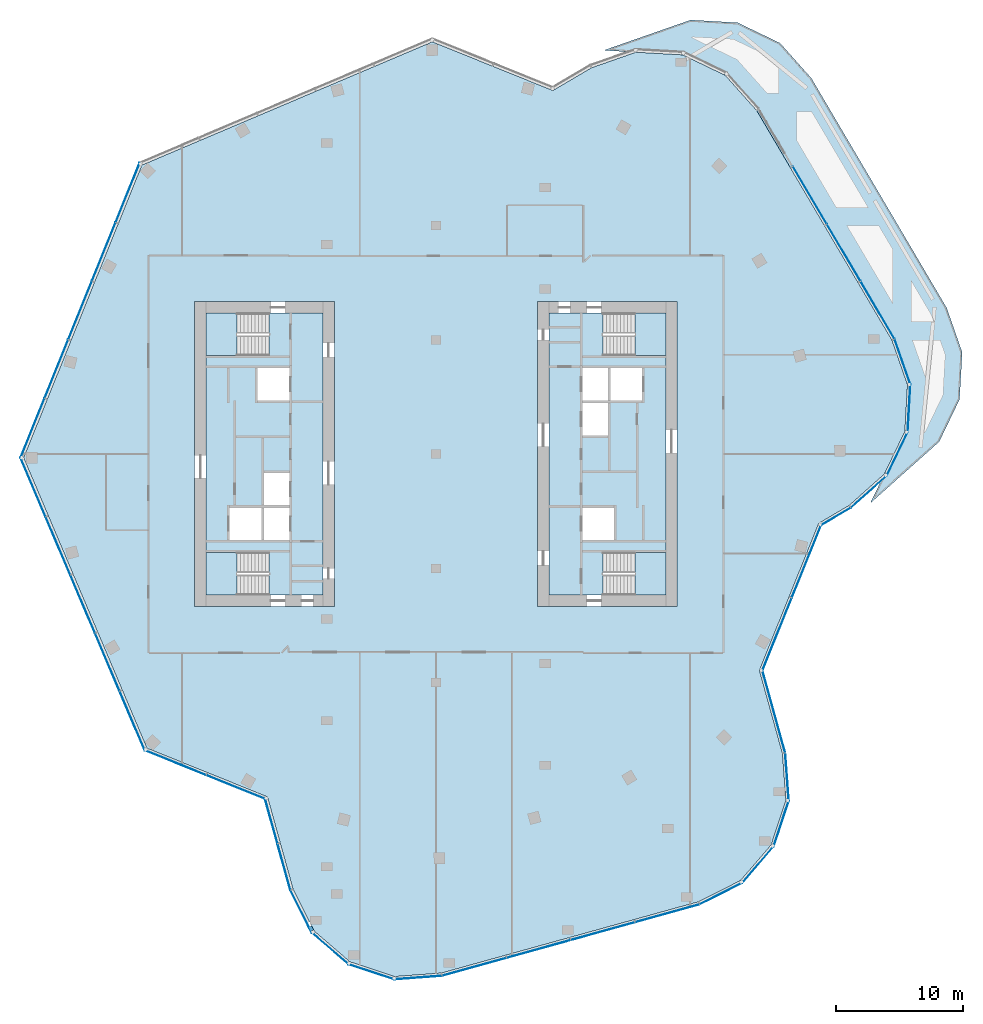
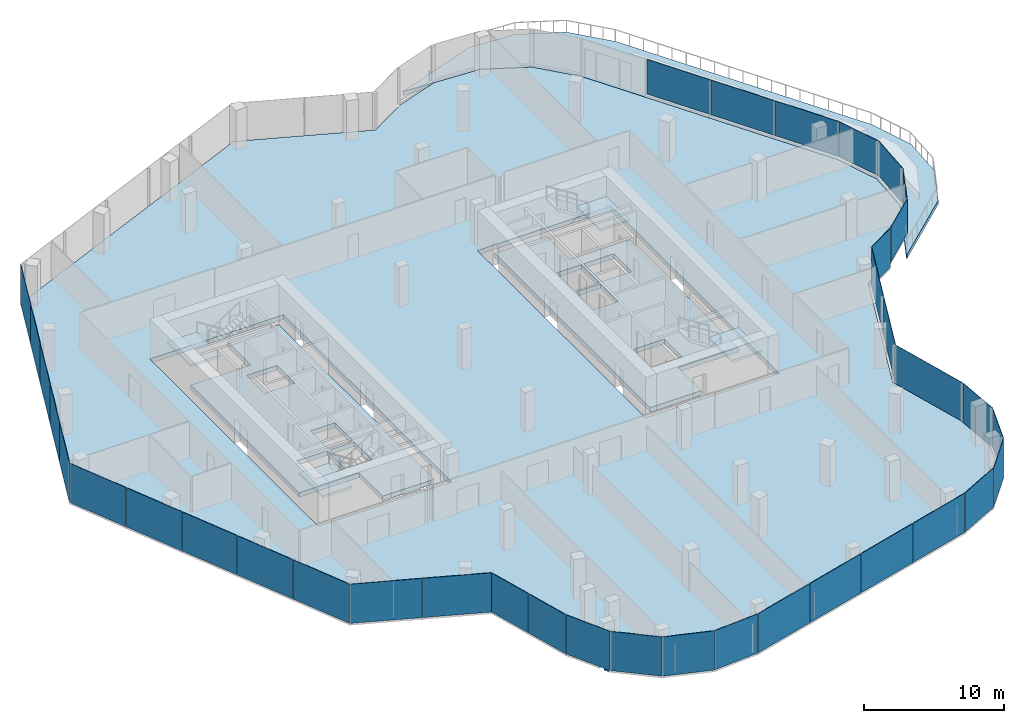
# One storey, part 10 of 17: 37 plates, 8 slabs, 1 member, 25 elements without a shape of their own.
"""IFC4 building model written with IfcOpenShell, lengths in metres."""

from ifc_helpers import new_model, si_unit, direction, frame, origin, origin_2d, place, context, subcontext, project, spatial, polyline, rectangle, outline, extrude, material, layer, layer_set, material_profile, profile_set, type_object, element, aggregate, save


model = new_model("IFC4")

# Units and contexts
model_context = context("Model", 3, precision=1e-05, world=origin(), true_north=direction((0.0, 1.0)))
body_context = subcontext(model_context, "Body", "Model", "MODEL_VIEW")
ifc_project = project(units=[si_unit("LENGTHUNIT", "METRE"), si_unit("AREAUNIT", "SQUARE_METRE"), si_unit("VOLUMEUNIT", "CUBIC_METRE"), si_unit("PLANEANGLEUNIT", "RADIAN"), si_unit("MASSUNIT", "GRAM", prefix="KILO")], contexts=[model_context])

# Site, building, storey
site_placement = place(None, origin())
site = spatial("IfcSite", under=ifc_project, at=site_placement, CompositionType="ELEMENT")
building_placement = place(site_placement, origin())
building = spatial("IfcBuilding", under=site, at=building_placement, Name="Orlundy Tower", CompositionType="ELEMENT")
storey_placement = place(building_placement, frame((0.0, 0.0, 289.39990234375)))
storey = spatial("IfcBuildingStorey", under=building, at=storey_placement, Name="L77", CompositionType="ELEMENT", Elevation=289.39990234375)

# Curtain wall, member
ifc_material_1 = material(Name="Aluminium bronze anodised", Category="aluminium")
curtain_wall_type = type_object("IfcCurtainWallType", Name="CW6 wall", PredefinedType="NOTDEFINED", material=ifc_material_1)
curtain_wall_1_placement = place(storey_placement, origin())
curtain_wall_1 = element("IfcCurtainWall", 1, at=curtain_wall_1_placement, inside=storey, type_object=curtain_wall_type, Name="CW6 run 027", PredefinedType="NOTDEFINED")
ifc_material_2 = material(Name="Aluminium bronze anodised", Category="aluminium")
ifc_material_profile = material_profile(ifc_material_2, rectangle(XDim=0.239990234375, YDim=0.159912109375, at=origin_2d()), Name="CW6 transom 240x160")
ifc_profile_set = profile_set([ifc_material_profile], Name="Aluminium bronze anodised")
member_type = type_object("IfcMemberType", Name="CW6 transom 240x160", PredefinedType="USERDEFINED", material=ifc_profile_set)
member_placement = place(storey_placement, frame((-9.7373046875, -37.5322265625, -0.31982421875), z_axis=(-0.450437701158, 0.892807861399, 0.0), x_axis=(-0.892807861399, -0.450437701158, 0.0)))
member = element("IfcMember", 2, at=member_placement, type_object=member_type, Name="CW6 transom", ObjectType="TRANSOM", PredefinedType="USERDEFINED", context=body_context, shape_type="SweptSolid", body=[
    extrude(rectangle(XDim=0.239990234375, YDim=0.159912109375, at=origin_2d()), origin(), (0.0, 0.0, 1.0), 0.363037109375),
])

# Curtain wall, plates
curtain_wall_2_placement = place(storey_placement, origin())
curtain_wall_2 = element("IfcCurtainWall", 3, at=curtain_wall_2_placement, inside=storey, type_object=curtain_wall_type, Name="CW6 run 00", PredefinedType="NOTDEFINED")
ifc_material_3 = material(Name="Tinted glass", Category="glass")
ifc_layer_1 = layer(ifc_material_3, 0.035888671875)
ifc_layer_set_1 = layer_set([ifc_layer_1], Name="CW6 glass panel 36")
plate_type = type_object("IfcPlateType", Name="CW6 glass panel 36", PredefinedType="CURTAIN_PANEL", material=ifc_layer_set_1)
plate_1_placement = place(storey_placement, frame((-11.96923828125, -32.509033203125, -0.23974609375), z_axis=(0.0, 0.0, 1.0), x_axis=(-0.267226188967, 0.963633832911, 0.0)))
plate_1 = element("IfcPlate", 4, at=plate_1_placement, type_object=plate_type, Name="CW6 panel", PredefinedType="CURTAIN_PANEL", context=body_context, shape_type="SweptSolid", body=[
    extrude(rectangle(XDim=3.73828125, YDim=0.035888671875, at=origin_2d()), origin(), (0.0, 0.0, 1.0), 3.419921875),
])
plate_2_placement = place(storey_placement, frame((-12.96728515625, -28.90966796875, -0.23974609375), z_axis=(0.0, 0.0, 1.0), x_axis=(-0.267226188967, 0.963633832911, 0.0)))
plate_2 = element("IfcPlate", 5, at=plate_2_placement, type_object=plate_type, Name="CW6 panel", PredefinedType="CURTAIN_PANEL", context=body_context, shape_type="SweptSolid", body=[
    extrude(rectangle(XDim=3.632080078125, YDim=0.035888671875, at=origin_2d()), origin(), (0.0, 0.0, 1.0), 3.419921875),
])
aggregate(curtain_wall_2, [plate_1, plate_2])

curtain_wall_3_placement = place(storey_placement, origin())
curtain_wall_3 = element("IfcCurtainWall", 6, at=curtain_wall_3_placement, inside=storey, type_object=curtain_wall_type, Name="CW6 run 01", PredefinedType="NOTDEFINED")
plate_3_placement = place(storey_placement, frame((-15.763427734375, -26.2265625, -0.23974609375), z_axis=(0.0, 0.0, 1.0), x_axis=(-0.927218353808, 0.374521193474, 0.0)))
plate_3 = element("IfcPlate", 7, at=plate_3_placement, type_object=plate_type, Name="CW6 panel", PredefinedType="CURTAIN_PANEL", context=body_context, shape_type="SweptSolid", body=[
    extrude(rectangle(XDim=4.984130859375, YDim=0.035888671875, at=origin_2d()), origin(), (0.0, 0.0, 1.0), 3.419921875),
])
plate_4_placement = place(storey_placement, frame((-20.5244140625, -24.303466796875, -0.23974609375), z_axis=(0.0, 0.0, 1.0), x_axis=(-0.927218353808, 0.374521193474, 0.0)))
plate_4 = element("IfcPlate", 8, at=plate_4_placement, type_object=plate_type, Name="CW6 panel", PredefinedType="CURTAIN_PANEL", context=body_context, shape_type="SweptSolid", body=[
    extrude(rectangle(XDim=5.185546875, YDim=0.035888671875, at=origin_2d()), origin(), (0.0, 0.0, 1.0), 3.419921875),
])
aggregate(curtain_wall_3, [plate_3, plate_4])

curtain_wall_4_placement = place(storey_placement, origin())
curtain_wall_4 = element("IfcCurtainWall", 9, at=curtain_wall_4_placement, inside=storey, type_object=curtain_wall_type, Name="CW6 run 02", PredefinedType="NOTDEFINED")
plate_5_placement = place(storey_placement, frame((-23.91259765625, -21.013671875, -0.23974609375), z_axis=(0.0, 0.0, 1.0), x_axis=(-0.390726531244, 0.920506804854, 0.0)))
plate_5 = element("IfcPlate", 10, at=plate_5_placement, type_object=plate_type, Name="CW6 panel", PredefinedType="CURTAIN_PANEL", context=body_context, shape_type="SweptSolid", body=[
    extrude(rectangle(XDim=5.03759765625, YDim=0.035888671875, at=origin_2d()), origin(), (0.0, 0.0, 1.0), 3.419921875),
])
plate_6_placement = place(storey_placement, frame((-25.877685546875, -16.38427734375, -0.23974609375), z_axis=(0.0, 0.0, 1.0), x_axis=(-0.390726531244, 0.920506804854, 0.0)))
plate_6 = element("IfcPlate", 11, at=plate_6_placement, type_object=plate_type, Name="CW6 panel", PredefinedType="CURTAIN_PANEL", context=body_context, shape_type="SweptSolid", body=[
    extrude(rectangle(XDim=4.920654296875, YDim=0.035888671875, at=origin_2d()), origin(), (0.0, 0.0, 1.0), 3.419921875),
])
plate_7_placement = place(storey_placement, frame((-27.81982421875, -11.808837890625, -0.23974609375), z_axis=(0.0, 0.0, 1.0), x_axis=(-0.390726531244, 0.920506804854, 0.0)))
plate_7 = element("IfcPlate", 12, at=plate_7_placement, type_object=plate_type, Name="CW6 panel", PredefinedType="CURTAIN_PANEL", context=body_context, shape_type="SweptSolid", body=[
    extrude(rectangle(XDim=4.920654296875, YDim=0.035888671875, at=origin_2d()), origin(), (0.0, 0.0, 1.0), 3.419921875),
])
plate_8_placement = place(storey_placement, frame((-29.761962890625, -7.233154296875, -0.23974609375), z_axis=(0.0, 0.0, 1.0), x_axis=(-0.390726531244, 0.920506804854, 0.0)))
plate_8 = element("IfcPlate", 13, at=plate_8_placement, type_object=plate_type, Name="CW6 panel", PredefinedType="CURTAIN_PANEL", context=body_context, shape_type="SweptSolid", body=[
    extrude(rectangle(XDim=4.920654296875, YDim=0.035888671875, at=origin_2d()), origin(), (0.0, 0.0, 1.0), 3.419921875),
])
plate_9_placement = place(storey_placement, frame((-31.72705078125, -2.603759765625, -0.23974609375), z_axis=(0.0, 0.0, 1.0), x_axis=(-0.390726531244, 0.920506804854, 0.0)))
plate_9 = element("IfcPlate", 14, at=plate_9_placement, type_object=plate_type, Name="CW6 panel", PredefinedType="CURTAIN_PANEL", context=body_context, shape_type="SweptSolid", body=[
    extrude(rectangle(XDim=5.03759765625, YDim=0.035888671875, at=origin_2d()), origin(), (0.0, 0.0, 1.0), 3.419921875),
])
aggregate(curtain_wall_4, [plate_5, plate_6, plate_7, plate_8, plate_9])

curtain_wall_5_placement = place(storey_placement, origin())
curtain_wall_5 = element("IfcCurtainWall", 15, at=curtain_wall_5_placement, inside=storey, type_object=curtain_wall_type, Name="CW6 run 03", PredefinedType="NOTDEFINED")
plate_10_placement = place(storey_placement, frame((-31.767822265625, 2.05029296875, -0.23974609375), z_axis=(0.0, 0.0, 1.0), x_axis=(0.374607412456, 0.927183523653, 0.0)))
plate_10 = element("IfcPlate", 16, at=plate_10_placement, type_object=plate_type, Name="CW6 panel", PredefinedType="CURTAIN_PANEL", context=body_context, shape_type="SweptSolid", body=[
    extrude(rectangle(XDim=5.03759765625, YDim=0.035888671875, at=origin_2d()), origin(), (0.0, 0.0, 1.0), 3.419921875),
])
plate_11_placement = place(storey_placement, frame((-29.8837890625, 6.713134765625, -0.23974609375), z_axis=(0.0, 0.0, 1.0), x_axis=(0.374607412456, 0.927183523653, 0.0)))
plate_11 = element("IfcPlate", 17, at=plate_11_placement, type_object=plate_type, Name="CW6 panel", PredefinedType="CURTAIN_PANEL", context=body_context, shape_type="SweptSolid", body=[
    extrude(rectangle(XDim=4.920654296875, YDim=0.035888671875, at=origin_2d()), origin(), (0.0, 0.0, 1.0), 3.419921875),
])
plate_12_placement = place(storey_placement, frame((-28.021728515625, 11.32177734375, -0.23974609375), z_axis=(0.0, 0.0, 1.0), x_axis=(0.374607412456, 0.927183523653, 0.0)))
plate_12 = element("IfcPlate", 18, at=plate_12_placement, type_object=plate_type, Name="CW6 panel", PredefinedType="CURTAIN_PANEL", context=body_context, shape_type="SweptSolid", body=[
    extrude(rectangle(XDim=4.920654296875, YDim=0.035888671875, at=origin_2d()), origin(), (0.0, 0.0, 1.0), 3.419921875),
])
plate_13_placement = place(storey_placement, frame((-26.159912109375, 15.93017578125, -0.23974609375), z_axis=(0.0, 0.0, 1.0), x_axis=(0.374607412456, 0.927183523653, 0.0)))
plate_13 = element("IfcPlate", 19, at=plate_13_placement, type_object=plate_type, Name="CW6 panel", PredefinedType="CURTAIN_PANEL", context=body_context, shape_type="SweptSolid", body=[
    extrude(rectangle(XDim=4.920654296875, YDim=0.035888671875, at=origin_2d()), origin(), (0.0, 0.0, 1.0), 3.419921875),
])
plate_14_placement = place(storey_placement, frame((-24.27587890625, 20.593017578125, -0.23974609375), z_axis=(0.0, 0.0, 1.0), x_axis=(0.374607412456, 0.927183523653, 0.0)))
plate_14 = element("IfcPlate", 20, at=plate_14_placement, type_object=plate_type, Name="CW6 panel", PredefinedType="CURTAIN_PANEL", context=body_context, shape_type="SweptSolid", body=[
    extrude(rectangle(XDim=5.03759765625, YDim=0.035888671875, at=origin_2d()), origin(), (0.0, 0.0, 1.0), 3.419921875),
])
aggregate(curtain_wall_5, [plate_10, plate_11, plate_12, plate_13, plate_14])

curtain_wall_6_placement = place(storey_placement, origin())
curtain_wall_6 = element("IfcCurtainWall", 21, at=curtain_wall_6_placement, inside=storey, type_object=curtain_wall_type, Name="CW6 run 011", PredefinedType="NOTDEFINED")
plate_15_placement = place(storey_placement, frame((29.447021484375, 20.392333984375, 0.16015625), z_axis=(0.0, 0.0, 1.0), x_axis=(0.507531980737, -0.861632919827, 0.0)))
plate_15 = element("IfcPlate", 22, at=plate_15_placement, type_object=plate_type, Name="CW6 panel", PredefinedType="CURTAIN_PANEL", context=body_context, shape_type="SweptSolid", body=[
    extrude(rectangle(XDim=5.199951171875, YDim=0.035888671875, at=origin_2d()), origin(), (0.0, 0.0, 1.0), 3.02001953125),
])
plate_16_placement = place(storey_placement, frame((32.111572265625, 15.868896484375, 0.16015625), z_axis=(0.0, 0.0, 1.0), x_axis=(0.507531980737, -0.861632919827, 0.0)))
plate_16 = element("IfcPlate", 23, at=plate_16_placement, type_object=plate_type, Name="CW6 panel", PredefinedType="CURTAIN_PANEL", context=body_context, shape_type="SweptSolid", body=[
    extrude(rectangle(XDim=5.199951171875, YDim=0.035888671875, at=origin_2d()), origin(), (0.0, 0.0, 1.0), 3.02001953125),
])
plate_17_placement = place(storey_placement, frame((34.781494140625, 11.3359375, 0.16015625), z_axis=(0.0, 0.0, 1.0), x_axis=(0.507531980737, -0.861632919827, 0.0)))
plate_17 = element("IfcPlate", 24, at=plate_17_placement, type_object=plate_type, Name="CW6 panel", PredefinedType="CURTAIN_PANEL", context=body_context, shape_type="SweptSolid", body=[
    extrude(rectangle(XDim=5.2216796875, YDim=0.035888671875, at=origin_2d()), origin(), (0.0, 0.0, 1.0), 3.02001953125),
])
aggregate(curtain_wall_6, [plate_15, plate_16, plate_17])

# Curtain wall, plate
curtain_wall_7_placement = place(storey_placement, origin())
curtain_wall_7 = element("IfcCurtainWall", 25, at=curtain_wall_7_placement, inside=storey, type_object=curtain_wall_type, Name="CW6 run 012", PredefinedType="NOTDEFINED")
plate_18_placement = place(storey_placement, frame((36.745361328125, 7.271728515625, 0.16015625), z_axis=(0.0, 0.0, 1.0), x_axis=(0.329629404105, -0.944110404534, 0.0)))
plate_18 = element("IfcPlate", 26, at=plate_18_placement, type_object=plate_type, Name="CW6 panel", PredefinedType="CURTAIN_PANEL", context=body_context, shape_type="SweptSolid", body=[
    extrude(rectangle(XDim=3.748046875, YDim=0.035888671875, at=origin_2d()), origin(), (0.0, 0.0, 1.0), 3.02001953125),
])
aggregate(curtain_wall_7, [plate_18])

curtain_wall_8_placement = place(storey_placement, origin())
curtain_wall_8 = element("IfcCurtainWall", 27, at=curtain_wall_8_placement, inside=storey, type_object=curtain_wall_type, Name="CW6 run 013", PredefinedType="NOTDEFINED")
plate_19_placement = place(storey_placement, frame((37.255615234375, 3.60791015625, 0.16015625), z_axis=(0.0, 0.0, 1.0), x_axis=(-0.056650299193, -0.998394082315, 0.0)))
plate_19 = element("IfcPlate", 28, at=plate_19_placement, type_object=plate_type, Name="CW6 panel", PredefinedType="CURTAIN_PANEL", context=body_context, shape_type="SweptSolid", body=[
    extrude(rectangle(XDim=3.795166015625, YDim=0.035888671875, at=origin_2d()), origin(), (0.0, 0.0, 1.0), 3.02001953125),
])
aggregate(curtain_wall_8, [plate_19])

curtain_wall_9_placement = place(storey_placement, origin())
curtain_wall_9 = element("IfcCurtainWall", 29, at=curtain_wall_9_placement, inside=storey, type_object=curtain_wall_type, Name="CW6 run 014", PredefinedType="NOTDEFINED")
plate_20_placement = place(storey_placement, frame((36.323974609375, 0.004638671875, 0.16015625), z_axis=(0.0, 0.0, 1.0), x_axis=(-0.434432108019, -0.900704581715, 0.0)))
plate_20 = element("IfcPlate", 30, at=plate_20_placement, type_object=plate_type, Name="CW6 panel", PredefinedType="CURTAIN_PANEL", context=body_context, shape_type="SweptSolid", body=[
    extrude(rectangle(XDim=3.794189453125, YDim=0.035888671875, at=origin_2d()), origin(), (0.0, 0.0, 1.0), 3.02001953125),
])
aggregate(curtain_wall_9, [plate_20])

curtain_wall_10_placement = place(storey_placement, origin())
curtain_wall_10 = element("IfcCurtainWall", 31, at=curtain_wall_10_placement, inside=storey, type_object=curtain_wall_type, Name="CW6 run 015", PredefinedType="NOTDEFINED")
plate_21_placement = place(storey_placement, frame((34.1015625, -2.952392578125, 0.16015625), z_axis=(0.0, 0.0, 1.0), x_axis=(-0.746023794818, -0.665919287575, 0.0)))
plate_21 = element("IfcPlate", 32, at=plate_21_placement, type_object=plate_type, Name="CW6 panel", PredefinedType="CURTAIN_PANEL", context=body_context, shape_type="SweptSolid", body=[
    extrude(rectangle(XDim=3.74853515625, YDim=0.035888671875, at=origin_2d()), origin(), (0.0, 0.0, 1.0), 3.02001953125),
])
aggregate(curtain_wall_10, [plate_21])

curtain_wall_11_placement = place(storey_placement, origin())
curtain_wall_11 = element("IfcCurtainWall", 33, at=curtain_wall_11_placement, inside=storey, type_object=curtain_wall_type, Name="CW6 run 016", PredefinedType="NOTDEFINED")
plate_22_placement = place(storey_placement, frame((31.497314453125, -4.91650390625, -0.23974609375), z_axis=(0.0, 0.0, 1.0), x_axis=(-0.861647850116, -0.507506632853, 0.0)))
plate_22 = element("IfcPlate", 34, at=plate_22_placement, type_object=plate_type, Name="CW6 panel", PredefinedType="CURTAIN_PANEL", context=body_context, shape_type="SweptSolid", body=[
    extrude(rectangle(XDim=2.70556640625, YDim=0.035888671875, at=origin_2d()), origin(), (0.0, 0.0, 1.0), 3.419921875),
])
aggregate(curtain_wall_11, [plate_22])

# Curtain wall, plates
curtain_wall_12_placement = place(storey_placement, origin())
curtain_wall_12 = element("IfcCurtainWall", 35, at=curtain_wall_12_placement, inside=storey, type_object=curtain_wall_type, Name="CW6 run 017", PredefinedType="NOTDEFINED")
plate_23_placement = place(storey_placement, frame((29.18115234375, -8.45068359375, -0.23974609375), z_axis=(0.0, 0.0, 1.0), x_axis=(-0.37457825326, -0.927195304229, 0.0)))
plate_23 = element("IfcPlate", 36, at=plate_23_placement, type_object=plate_type, Name="CW6 panel", PredefinedType="CURTAIN_PANEL", context=body_context, shape_type="SweptSolid", body=[
    extrude(rectangle(XDim=6.142578125, YDim=0.035888671875, at=origin_2d()), origin(), (0.0, 0.0, 1.0), 3.419921875),
])
plate_24_placement = place(storey_placement, frame((26.861572265625, -14.192626953125, -0.23974609375), z_axis=(0.0, 0.0, 1.0), x_axis=(-0.37457825326, -0.927195304229, 0.0)))
plate_24 = element("IfcPlate", 37, at=plate_24_placement, type_object=plate_type, Name="CW6 panel", PredefinedType="CURTAIN_PANEL", context=body_context, shape_type="SweptSolid", body=[
    extrude(rectangle(XDim=6.142578125, YDim=0.035888671875, at=origin_2d()), origin(), (0.0, 0.0, 1.0), 3.419921875),
])
aggregate(curtain_wall_12, [plate_23, plate_24])

# Curtain wall, plate
curtain_wall_13_placement = place(storey_placement, origin())
curtain_wall_13 = element("IfcCurtainWall", 38, at=curtain_wall_13_placement, inside=storey, type_object=curtain_wall_type, Name="CW6 run 018", PredefinedType="NOTDEFINED")
plate_25_placement = place(storey_placement, frame((26.607177734375, -20.27099609375, -0.23974609375), z_axis=(0.0, 0.0, 1.0), x_axis=(0.26725609635, -0.963625538767, 0.0)))
plate_25 = element("IfcPlate", 39, at=plate_25_placement, type_object=plate_type, Name="CW6 panel", PredefinedType="CURTAIN_PANEL", context=body_context, shape_type="SweptSolid", body=[
    extrude(rectangle(XDim=6.705078125, YDim=0.035888671875, at=origin_2d()), origin(), (0.0, 0.0, 1.0), 3.419921875),
])
aggregate(curtain_wall_13, [plate_25])

curtain_wall_14_placement = place(storey_placement, origin())
curtain_wall_14 = element("IfcCurtainWall", 40, at=curtain_wall_14_placement, inside=storey, type_object=curtain_wall_type, Name="CW6 run 019", PredefinedType="NOTDEFINED")
plate_26_placement = place(storey_placement, frame((27.650146484375, -25.419677734375, -0.23974609375), z_axis=(0.0, 0.0, 1.0), x_axis=(0.073911430304, -0.997264809602, 0.0)))
plate_26 = element("IfcPlate", 41, at=plate_26_placement, type_object=plate_type, Name="CW6 panel", PredefinedType="CURTAIN_PANEL", context=body_context, shape_type="SweptSolid", body=[
    extrude(rectangle(XDim=3.748046875, YDim=0.035888671875, at=origin_2d()), origin(), (0.0, 0.0, 1.0), 3.419921875),
])
aggregate(curtain_wall_14, [plate_26])

curtain_wall_15_placement = place(storey_placement, origin())
curtain_wall_15 = element("IfcCurtainWall", 42, at=curtain_wall_15_placement, inside=storey, type_object=curtain_wall_type, Name="CW6 run 020", PredefinedType="NOTDEFINED")
plate_27_placement = place(storey_placement, frame((27.19482421875, -29.090576171875, -0.23974609375), z_axis=(0.0, 0.0, 1.0), x_axis=(-0.312988116173, -0.949757042161, 0.0)))
plate_27 = element("IfcPlate", 43, at=plate_27_placement, type_object=plate_type, Name="CW6 panel", PredefinedType="CURTAIN_PANEL", context=body_context, shape_type="SweptSolid", body=[
    extrude(rectangle(XDim=3.79443359375, YDim=0.035888671875, at=origin_2d()), origin(), (0.0, 0.0, 1.0), 3.419921875),
])
aggregate(curtain_wall_15, [plate_27])

curtain_wall_16_placement = place(storey_placement, origin())
curtain_wall_16 = element("IfcCurtainWall", 44, at=curtain_wall_16_placement, inside=storey, type_object=curtain_wall_type, Name="CW6 run 021", PredefinedType="NOTDEFINED")
plate_28_placement = place(storey_placement, frame((25.362060546875, -32.329833984375, -0.23974609375), z_axis=(0.0, 0.0, 1.0), x_axis=(-0.652832887024, -0.757501961463, 0.0)))
plate_28 = element("IfcPlate", 45, at=plate_28_placement, type_object=plate_type, Name="CW6 panel", PredefinedType="CURTAIN_PANEL", context=body_context, shape_type="SweptSolid", body=[
    extrude(rectangle(XDim=3.795166015625, YDim=0.035888671875, at=origin_2d()), origin(), (0.0, 0.0, 1.0), 3.419921875),
])
aggregate(curtain_wall_16, [plate_28])

curtain_wall_17_placement = place(storey_placement, origin())
curtain_wall_17 = element("IfcCurtainWall", 46, at=curtain_wall_17_placement, inside=storey, type_object=curtain_wall_type, Name="CW6 run 022", PredefinedType="NOTDEFINED")
plate_29_placement = place(storey_placement, frame((22.4501953125, -34.610595703125, -0.23974609375), z_axis=(0.0, 0.0, 1.0), x_axis=(-0.893019858419, -0.450017257968, 0.0)))
plate_29 = element("IfcPlate", 47, at=plate_29_placement, type_object=plate_type, Name="CW6 panel", PredefinedType="CURTAIN_PANEL", context=body_context, shape_type="SweptSolid", body=[
    extrude(rectangle(XDim=3.747314453125, YDim=0.035888671875, at=origin_2d()), origin(), (0.0, 0.0, 1.0), 3.419921875),
])
aggregate(curtain_wall_17, [plate_29])

# Curtain wall, plates
curtain_wall_18_placement = place(storey_placement, origin())
curtain_wall_18 = element("IfcCurtainWall", 48, at=curtain_wall_18_placement, inside=storey, type_object=curtain_wall_type, Name="CW6 run 023", PredefinedType="NOTDEFINED")
plate_30_placement = place(storey_placement, frame((18.21435546875, -36.16943359375, -0.23974609375), z_axis=(0.0, 0.0, 1.0), x_axis=(-0.963629710974, -0.267241052476, 0.0)))
plate_30 = element("IfcPlate", 49, at=plate_30_placement, type_object=plate_type, Name="CW6 panel", PredefinedType="CURTAIN_PANEL", context=body_context, shape_type="SweptSolid", body=[
    extrude(rectangle(XDim=5.2216796875, YDim=0.035888671875, at=origin_2d()), origin(), (0.0, 0.0, 1.0), 3.419921875),
])
plate_31_placement = place(storey_placement, frame((13.144775390625, -37.575439453125, -0.23974609375), z_axis=(0.0, 0.0, 1.0), x_axis=(-0.963629710974, -0.267241052476, 0.0)))
plate_31 = element("IfcPlate", 50, at=plate_31_placement, type_object=plate_type, Name="CW6 panel", PredefinedType="CURTAIN_PANEL", context=body_context, shape_type="SweptSolid", body=[
    extrude(rectangle(XDim=5.199951171875, YDim=0.035888671875, at=origin_2d()), origin(), (0.0, 0.0, 1.0), 3.419921875),
])
plate_32_placement = place(storey_placement, frame((8.0859375, -38.978515625, -0.23974609375), z_axis=(0.0, 0.0, 1.0), x_axis=(-0.963629710974, -0.267241052476, 0.0)))
plate_32 = element("IfcPlate", 51, at=plate_32_placement, type_object=plate_type, Name="CW6 panel", PredefinedType="CURTAIN_PANEL", context=body_context, shape_type="SweptSolid", body=[
    extrude(rectangle(XDim=5.199951171875, YDim=0.035888671875, at=origin_2d()), origin(), (0.0, 0.0, 1.0), 3.419921875),
])
plate_33_placement = place(storey_placement, frame((3.016357421875, -40.38427734375, -0.23974609375), z_axis=(0.0, 0.0, 1.0), x_axis=(-0.963629710974, -0.267241052476, 0.0)))
plate_33 = element("IfcPlate", 52, at=plate_33_placement, type_object=plate_type, Name="CW6 panel", PredefinedType="CURTAIN_PANEL", context=body_context, shape_type="SweptSolid", body=[
    extrude(rectangle(XDim=5.2216796875, YDim=0.035888671875, at=origin_2d()), origin(), (0.0, 0.0, 1.0), 3.419921875),
])
aggregate(curtain_wall_18, [plate_30, plate_31, plate_32, plate_33])

# Curtain wall, plate
curtain_wall_19_placement = place(storey_placement, origin())
curtain_wall_19 = element("IfcCurtainWall", 53, at=curtain_wall_19_placement, inside=storey, type_object=curtain_wall_type, Name="CW6 run 024", PredefinedType="NOTDEFINED")
plate_34_placement = place(storey_placement, frame((-1.417724609375, -41.229736328125, -0.23974609375), z_axis=(0.0, 0.0, 1.0), x_axis=(-0.99724489086, -0.074179698392, 0.0)))
plate_34 = element("IfcPlate", 54, at=plate_34_placement, type_object=plate_type, Name="CW6 panel", PredefinedType="CURTAIN_PANEL", context=body_context, shape_type="SweptSolid", body=[
    extrude(rectangle(XDim=3.748046875, YDim=0.035888671875, at=origin_2d()), origin(), (0.0, 0.0, 1.0), 3.419921875),
])
aggregate(curtain_wall_19, [plate_34])

curtain_wall_20_placement = place(storey_placement, origin())
curtain_wall_20 = element("IfcCurtainWall", 55, at=curtain_wall_20_placement, inside=storey, type_object=curtain_wall_type, Name="CW6 run 025", PredefinedType="NOTDEFINED")
plate_35_placement = place(storey_placement, frame((-5.088623046875, -40.7744140625, -0.23974609375), z_axis=(0.0, 0.0, 1.0), x_axis=(-0.949676811134, 0.313231470951, 0.0)))
plate_35 = element("IfcPlate", 56, at=plate_35_placement, type_object=plate_type, Name="CW6 panel", PredefinedType="CURTAIN_PANEL", context=body_context, shape_type="SweptSolid", body=[
    extrude(rectangle(XDim=3.794921875, YDim=0.035888671875, at=origin_2d()), origin(), (0.0, 0.0, 1.0), 3.419921875),
])
aggregate(curtain_wall_20, [plate_35])

curtain_wall_21_placement = place(storey_placement, origin())
curtain_wall_21 = element("IfcCurtainWall", 57, at=curtain_wall_21_placement, inside=storey, type_object=curtain_wall_type, Name="CW6 run 026", PredefinedType="NOTDEFINED")
plate_36_placement = place(storey_placement, frame((-8.327880859375, -38.941650390625, -0.23974609375), z_axis=(0.0, 0.0, 1.0), x_axis=(-0.757635374241, 0.652678052104, 0.0)))
plate_36 = element("IfcPlate", 58, at=plate_36_placement, type_object=plate_type, Name="CW6 panel", PredefinedType="CURTAIN_PANEL", context=body_context, shape_type="SweptSolid", body=[
    extrude(rectangle(XDim=3.794677734375, YDim=0.035888671875, at=origin_2d()), origin(), (0.0, 0.0, 1.0), 3.419921875),
])
aggregate(curtain_wall_21, [plate_36])

# Plate
plate_37_placement = place(storey_placement, frame((-10.608642578125, -36.030029296875, -0.23974609375), z_axis=(0.0, 0.0, 1.0), x_axis=(-0.450017257968, 0.893019858419, 0.0)))
plate_37 = element("IfcPlate", 59, at=plate_37_placement, type_object=plate_type, Name="CW6 panel", PredefinedType="CURTAIN_PANEL", context=body_context, shape_type="SweptSolid", body=[
    extrude(rectangle(XDim=3.74755859375, YDim=0.035888671875, at=origin_2d()), origin(), (0.0, 0.0, 1.0), 3.419921875),
])

aggregate(curtain_wall_1, [plate_37, member])

# Slabs
ifc_material_4 = material(Name="Concrete C50/60", Category="concrete")
ifc_layer_2 = layer(ifc_material_4, 0.409912109375)
ifc_layer_set_2 = layer_set([ifc_layer_2], Name="Core Floor Slab 410")
slab_type_1 = type_object("IfcSlabType", Name="Core Floor Slab 410", PredefinedType="FLOOR", material=ifc_layer_set_2)
slab_1_placement = place(storey_placement, frame((0.0, 0.0, -0.409912109375)))
element("IfcSlab", 60, at=slab_1_placement, inside=storey, type_object=slab_type_1, Name="Core floor W59", PredefinedType="FLOOR", context=body_context, shape_type="SweptSolid", body=[
    extrude(outline(polyline([(-18.10009765625, 7.75), (-13.14501953125, 7.75), (-13.14501953125, 11.10009765625), (-8.89990234375, 11.10009765625), (-8.89990234375, -11.10009765625), (-13.14501953125, -11.10009765625), (-13.14501953125, -7.75), (-18.10009765625, -7.75), (-18.10009765625, 7.75)]), holes=[polyline([(-13.5400390625, -4.22509765625), (-13.5400390625, -6.77490234375), (-11.5400390625, -6.77490234375), (-11.5400390625, -4.22509765625), (-13.5400390625, -4.22509765625)]), polyline([(-13.739990234375, -4.22509765625), (-16.239990234375, -4.22509765625), (-16.239990234375, -6.77490234375), (-13.739990234375, -6.77490234375), (-13.739990234375, -4.22509765625)]), polyline([(-11.5400390625, -4.02490234375), (-11.5400390625, -1.47509765625), (-13.5400390625, -1.47509765625), (-13.5400390625, -4.02490234375), (-11.5400390625, -4.02490234375)]), polyline([(-14.0400390625, 4.22509765625), (-11.5400390625, 4.22509765625), (-11.5400390625, 6.77490234375), (-14.0400390625, 6.77490234375), (-14.0400390625, 4.22509765625)])]), origin(), (0.0, 0.0, 1.0), 0.409912109375),
])
slab_2_placement = place(storey_placement, frame((0.0, 0.0, -0.409912109375)))
element("IfcSlab", 61, at=slab_2_placement, inside=storey, type_object=slab_type_1, Name="Core floor E59", PredefinedType="FLOOR", context=body_context, shape_type="SweptSolid", body=[
    extrude(outline(polyline([(18.10009765625, -7.75), (13.14501953125, -7.75), (13.14501953125, -11.10009765625), (8.89990234375, -11.10009765625), (8.89990234375, 11.10009765625), (13.14501953125, 11.10009765625), (13.14501953125, 7.75), (18.10009765625, 7.75), (18.10009765625, -7.75)]), holes=[polyline([(13.5400390625, 4.22509765625), (13.5400390625, 6.77490234375), (11.5400390625, 6.77490234375), (11.5400390625, 4.22509765625), (13.5400390625, 4.22509765625)]), polyline([(13.739990234375, 4.22509765625), (16.239990234375, 4.22509765625), (16.239990234375, 6.77490234375), (13.739990234375, 6.77490234375), (13.739990234375, 4.22509765625)]), polyline([(11.5400390625, 4.02490234375), (11.5400390625, 1.47509765625), (13.5400390625, 1.47509765625), (13.5400390625, 4.02490234375), (11.5400390625, 4.02490234375)]), polyline([(14.0400390625, -4.22509765625), (11.5400390625, -4.22509765625), (11.5400390625, -6.77490234375), (14.0400390625, -6.77490234375), (14.0400390625, -4.22509765625)])]), origin(), (0.0, 0.0, 1.0), 0.409912109375),
])

# Stair, slab
ifc_material_5 = material(Name="Concrete C50/60", Category="concrete")
stair_type = type_object("IfcStairType", Name="Exit Stair 20 risers", PredefinedType="HALF_TURN_STAIR", material=ifc_material_5)
stair_1_placement = place(storey_placement, origin())
stair_1 = element("IfcStair", 62, at=stair_1_placement, inside=storey, type_object=stair_type, Name="L77 Exit Stair ST-W1", PredefinedType="HALF_TURN_STAIR")
ifc_material_6 = material(Name="Concrete C50/60", Category="concrete")
ifc_layer_3 = layer(ifc_material_6, 0.199951171875)
ifc_layer_set_3 = layer_set([ifc_layer_3], Name="Exit Stair Landing")
slab_type_2 = type_object("IfcSlabType", Name="Exit Stair Landing", PredefinedType="LANDING", material=ifc_layer_set_3)
slab_3_placement = place(storey_placement, frame((0.0, 0.0, 1.550048828125)))
slab_3 = element("IfcSlab", 63, at=slab_3_placement, type_object=slab_type_2, Name="ST-W1 landing 1", PredefinedType="LANDING", context=body_context, shape_type="SweptSolid", body=[
    extrude(outline(polyline([(-15.659912109375, 11.10009765625), (-18.10009765625, 11.10009765625), (-18.10009765625, 7.75), (-15.659912109375, 7.75), (-15.659912109375, 11.10009765625)])), origin(), (0.0, 0.0, 1.0), 0.199951171875),
])
aggregate(stair_1, [slab_3])

stair_2_placement = place(storey_placement, origin())
stair_2 = element("IfcStair", 64, at=stair_2_placement, inside=storey, type_object=stair_type, Name="L77 Exit Stair ST-W2", PredefinedType="HALF_TURN_STAIR")
slab_4_placement = place(storey_placement, frame((0.0, 0.0, 1.550048828125)))
slab_4 = element("IfcSlab", 65, at=slab_4_placement, type_object=slab_type_2, Name="ST-W2 landing 1", PredefinedType="LANDING", context=body_context, shape_type="SweptSolid", body=[
    extrude(outline(polyline([(-15.659912109375, -7.75), (-18.10009765625, -7.75), (-18.10009765625, -11.10009765625), (-15.659912109375, -11.10009765625), (-15.659912109375, -7.75)])), origin(), (0.0, 0.0, 1.0), 0.199951171875),
])
aggregate(stair_2, [slab_4])

stair_3_placement = place(storey_placement, origin())
stair_3 = element("IfcStair", 66, at=stair_3_placement, inside=storey, type_object=stair_type, Name="L77 Exit Stair ST-E1", PredefinedType="HALF_TURN_STAIR")
slab_5_placement = place(storey_placement, frame((0.0, 0.0, 1.550048828125)))
slab_5 = element("IfcSlab", 67, at=slab_5_placement, type_object=slab_type_2, Name="ST-E1 landing 1", PredefinedType="LANDING", context=body_context, shape_type="SweptSolid", body=[
    extrude(outline(polyline([(15.659912109375, -11.10009765625), (18.10009765625, -11.10009765625), (18.10009765625, -7.75), (15.659912109375, -7.75), (15.659912109375, -11.10009765625)])), origin(), (0.0, 0.0, 1.0), 0.199951171875),
])
aggregate(stair_3, [slab_5])

stair_4_placement = place(storey_placement, origin())
stair_4 = element("IfcStair", 68, at=stair_4_placement, inside=storey, type_object=stair_type, Name="L77 Exit Stair ST-E2", PredefinedType="HALF_TURN_STAIR")
slab_6_placement = place(storey_placement, frame((0.0, 0.0, 1.550048828125)))
slab_6 = element("IfcSlab", 69, at=slab_6_placement, type_object=slab_type_2, Name="ST-E2 landing 1", PredefinedType="LANDING", context=body_context, shape_type="SweptSolid", body=[
    extrude(outline(polyline([(15.659912109375, 7.75), (18.10009765625, 7.75), (18.10009765625, 11.10009765625), (15.659912109375, 11.10009765625), (15.659912109375, 7.75)])), origin(), (0.0, 0.0, 1.0), 0.199951171875),
])
aggregate(stair_4, [slab_6])

# Slabs
ifc_material_7 = material(Name="Concrete C45/55", Category="concrete")
ifc_layer_4 = layer(ifc_material_7, 0.39990234375)
ifc_layer_set_4 = layer_set([ifc_layer_4], Name="FLOOR SLAB THICK 400 C45/55")
slab_type_3 = type_object("IfcSlabType", Name="FLOOR SLAB THICK 400 C45/55", PredefinedType="FLOOR", material=ifc_layer_set_4)
slab_7_placement = place(storey_placement, frame((0.0, 0.0, -0.39990234375)))
element("IfcSlab", 70, at=slab_7_placement, inside=storey, type_object=slab_type_3, Name="Floor slab L77", PredefinedType="FLOOR", context=body_context, shape_type="SweptSolid", body=[
    extrude(outline(polyline([(-13.26806640625, -26.9951171875), (-22.760009765625, -23.160888671875), (-32.470947265625, -0.282958984375), (-23.160888671875, 22.760009765625), (-0.282958984375, 32.470947265625), (9.2080078125, 28.635986328125), (12.251953125, 30.428955078125), (15.7509765625, 31.65087890625), (19.451904296875, 31.44091796875), (22.7900390625, 29.830078125), (25.259033203125, 27.06494140625), (35.9169921875, 8.970947265625), (37.138916015625, 5.470947265625), (36.928955078125, 1.77001953125), (35.319091796875, -1.568115234375), (32.552978515625, -4.037109375), (30.154052734375, -5.449951171875), (25.47705078125, -17.027099609375), (27.2900390625, -23.56396484375), (27.56396484375, -27.260986328125), (26.404052734375, -30.781005859375), (23.98388671875, -33.589111328125), (20.674072265625, -35.257080078125), (0.43798828125, -40.868896484375), (-3.259033203125, -41.14404296875), (-6.779052734375, -39.98291015625), (-9.5869140625, -37.56396484375), (-11.2548828125, -34.25390625), (-13.26806640625, -26.9951171875)]), holes=[polyline([(-8.0, -12.0), (-8.0, 12.0), (-19.0, 12.0), (-19.0, -12.0), (-8.0, -12.0)]), polyline([(19.0, -12.0), (19.0, 12.0), (8.0, 12.0), (8.0, -12.0), (19.0, -12.0)])]), origin(), (0.0, 0.0, 1.0), 0.39990234375),
])
ifc_material_8 = material(Name="Concrete C45/55", Category="concrete")
ifc_layer_5 = layer(ifc_material_8, 0.35009765625)
ifc_layer_set_5 = layer_set([ifc_layer_5], Name="TERRACE SLAB 350 C45/55")
slab_type_4 = type_object("IfcSlabType", Name="TERRACE SLAB 350 C45/55", PredefinedType="ROOF", material=ifc_layer_set_5)
slab_8_placement = place(storey_placement, frame((0.0, 0.0, -0.349853515625)))
element("IfcSlab", 71, at=slab_8_placement, inside=storey, type_object=slab_type_4, Name="Terrace slab L77-1", PredefinedType="ROOF", context=body_context, shape_type="SweptSolid", body=[
    extrude(outline(polyline([(13.303955078125, 31.7890625), (13.299072265625, 31.825927734375), (20.05810546875, 34.18798828125), (23.760009765625, 33.97802734375), (27.09912109375, 32.367919921875), (29.56689453125, 29.60205078125), (40.22509765625, 11.508056640625), (41.447021484375, 8.010009765625), (41.237060546875, 4.30810546875), (39.626953125, 0.968994140625), (34.281982421875, -3.799072265625), (34.2529296875, -3.777099609375), (36.928955078125, 1.77001953125), (37.138916015625, 5.470947265625), (35.9169921875, 8.970947265625), (25.259033203125, 27.06494140625), (22.7900390625, 29.830078125), (19.452880859375, 31.44091796875), (13.303955078125, 31.7890625)])), origin(), (0.0, 0.0, 1.0), 0.349853515625),
])

save(model, "model.ifc")
